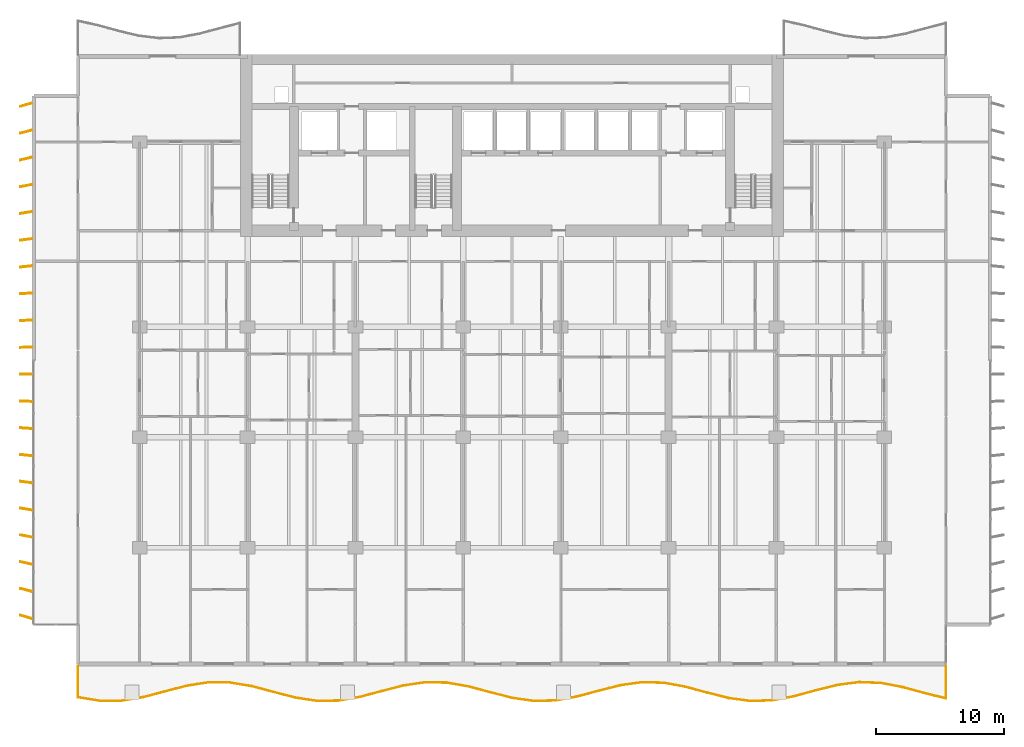
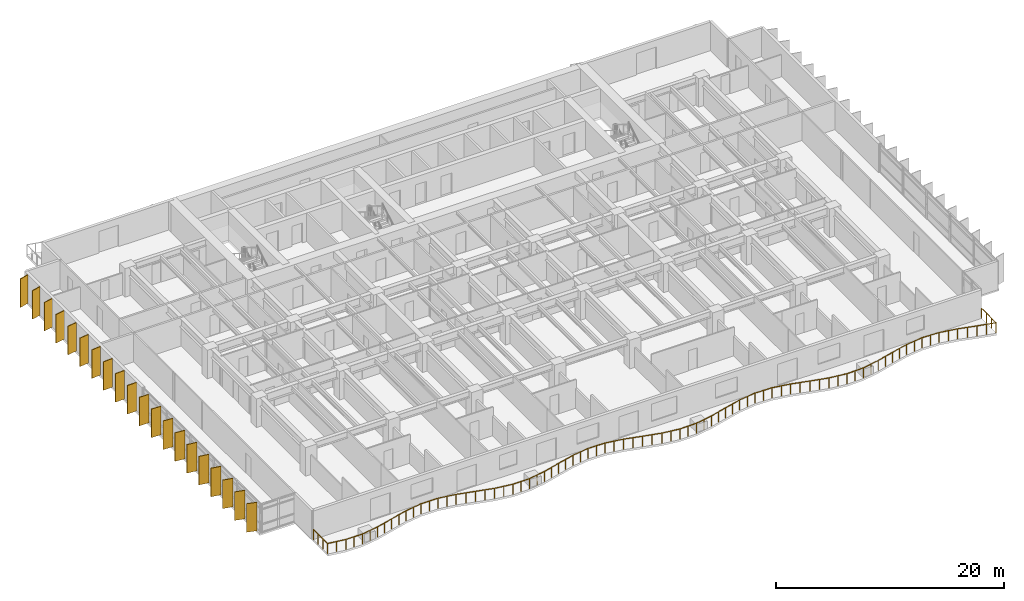
# One storey, part 14 of 17: 20 shading devices, 1 railing.
"""IFC4 building model written with IfcOpenShell, lengths in metres."""

from ifc_helpers import new_model, si_unit, direction, frame, origin, origin_2d, place, context, subcontext, project, spatial, rectangle, circle, extrude, material, material_profile, profile_set, type_object, element, save


model = new_model("IFC4")

# Units and contexts
model_context = context("Model", 3, precision=1e-05, world=origin(), true_north=direction((0.0, 1.0)))
body_context = subcontext(model_context, "Body", "Model", "MODEL_VIEW")
ifc_project = project(units=[si_unit("LENGTHUNIT", "METRE"), si_unit("AREAUNIT", "SQUARE_METRE"), si_unit("VOLUMEUNIT", "CUBIC_METRE"), si_unit("PLANEANGLEUNIT", "RADIAN"), si_unit("MASSUNIT", "GRAM", prefix="KILO")], contexts=[model_context])

# Site, building, storey
site_placement = place(None, origin())
site = spatial("IfcSite", under=ifc_project, at=site_placement, CompositionType="ELEMENT")
building_placement = place(site_placement, origin())
building = spatial("IfcBuilding", under=site, at=building_placement, Name="Caelmar Bay Residences", CompositionType="ELEMENT")
storey_placement = place(building_placement, frame((0.0, 0.0, 33.300048828125)))
storey = spatial("IfcBuildingStorey", under=building, at=storey_placement, Name="L07", CompositionType="ELEMENT", Elevation=33.300048828125)

# Railing
ifc_material_1 = material(Name="Anodised bronze handrail with laminated hurricane glass infill", Category="glass")
railing_type = type_object("IfcRailingType", Name="RL-BAL-1100", PredefinedType="BALUSTRADE", material=ifc_material_1)
railing_placement = place(storey_placement, frame((5.10009765625, 3.0, 0.0)))
element("IfcRailing", 1, at=railing_placement, inside=storey, type_object=railing_type, Name="L07 south Balcony Balustrade", PredefinedType="BALUSTRADE", context=body_context, shape_type="SweptSolid", body=[
    extrude(circle(Radius=0.02392578125, at=origin_2d()), frame((0.0, 0.0, 1.076171875), z_axis=(0.0, -1.0, 0.0), x_axis=(1.0, 0.0, 0.0)), (0.0, 0.0, 1.0), 2.460693359375),
    extrude(circle(Radius=0.02392578125, at=origin_2d()), frame((0.0, -2.460693359375, 1.076171875), z_axis=(0.987161447112, -0.159725631431, 0.0), x_axis=(0.159725631431, 0.987161447112, 0.0)), (0.0, 0.0, 1.0), 1.7119140625),
    extrude(circle(Radius=0.02392578125, at=origin_2d()), frame((1.68994140625, -2.734130859375, 1.076171875), z_axis=(0.999998737326, 0.001589134081, 0.0), x_axis=(-0.001589134081, 0.999998737326, 0.0)), (0.0, 0.0, 1.0), 1.68994140625),
    extrude(circle(Radius=0.02392578125, at=origin_2d()), frame((3.3798828125, -2.7314453125, 1.076171875), z_axis=(0.986799294677, 0.16194799173, 0.0), x_axis=(-0.16194799173, 0.986799294677, 0.0)), (0.0, 0.0, 1.0), 1.712646484375),
    extrude(circle(Radius=0.02392578125, at=origin_2d()), frame((5.06982421875, -2.4541015625, 1.076171875), z_axis=(0.967000314127, 0.254775180264, 0.0), x_axis=(-0.254775180264, 0.967000314127, 0.0)), (0.0, 0.0, 1.0), 1.747802734375),
    extrude(circle(Radius=0.02392578125, at=origin_2d()), frame((6.760009765625, -2.0087890625, 1.076171875), z_axis=(0.967608364987, 0.252456039752, 0.0), x_axis=(-0.252456039752, 0.967608364987, 0.0)), (0.0, 0.0, 1.0), 1.74658203125),
    extrude(circle(Radius=0.02392578125, at=origin_2d()), frame((8.449951171875, -1.56787109375, 1.076171875), z_axis=(0.987827677415, 0.155552176883, 0.0), x_axis=(-0.155552176883, 0.987827677415, 0.0)), (0.0, 0.0, 1.0), 1.710693359375),
    extrude(circle(Radius=0.02392578125, at=origin_2d()), frame((10.139892578125, -1.3017578125, 1.076171875), z_axis=(0.999977919541, -0.00664533145, 0.0), x_axis=(0.00664533145, 0.999977919541, 0.0)), (0.0, 0.0, 1.0), 1.68994140625),
    extrude(circle(Radius=0.02392578125, at=origin_2d()), frame((11.829833984375, -1.31298828125, 1.076171875), z_axis=(0.986134771921, -0.165946411857, 0.0), x_axis=(0.165946411857, 0.986134771921, 0.0)), (0.0, 0.0, 1.0), 1.7138671875),
    extrude(circle(Radius=0.02392578125, at=origin_2d()), frame((13.52001953125, -1.597412109375, 1.076171875), z_axis=(0.96664627218, -0.256115178153, 0.0), x_axis=(0.256115178153, 0.96664627218, 0.0)), (0.0, 0.0, 1.0), 1.748291015625),
    extrude(circle(Radius=0.02392578125, at=origin_2d()), frame((15.2099609375, -2.045166015625, 1.076171875), z_axis=(0.968017027186, -0.250884505457, 0.0), x_axis=(0.250884505457, 0.968017027186, 0.0)), (0.0, 0.0, 1.0), 1.745849609375),
    extrude(circle(Radius=0.02392578125, at=origin_2d()), frame((16.89990234375, -2.483154296875, 1.076171875), z_axis=(0.988455739863, -0.151509901762, 0.0), x_axis=(0.151509901762, 0.988455739863, 0.0)), (0.0, 0.0, 1.0), 1.709716796875),
    extrude(circle(Radius=0.02392578125, at=origin_2d()), frame((18.58984375, -2.7421875, 1.076171875), z_axis=(0.999929840124, 0.011845456066, 0.0), x_axis=(-0.011845456066, 0.999929840124, 0.0)), (0.0, 0.0, 1.0), 1.68994140625),
    extrude(circle(Radius=0.02392578125, at=origin_2d()), frame((20.27978515625, -2.72216796875, 1.076171875), z_axis=(0.985474905677, 0.169821112592, 0.0), x_axis=(-0.169821112592, 0.985474905677, 0.0)), (0.0, 0.0, 1.0), 1.715087890625),
    extrude(circle(Radius=0.02392578125, at=origin_2d()), frame((21.969970703125, -2.430908203125, 1.076171875), z_axis=(0.966299784556, 0.25741935896, 0.0), x_axis=(-0.25741935896, 0.966299784556, 0.0)), (0.0, 0.0, 1.0), 1.748779296875),
    extrude(circle(Radius=0.02392578125, at=origin_2d()), frame((23.659912109375, -1.980712890625, 1.076171875), z_axis=(0.968457248816, 0.249179768873, 0.0), x_axis=(-0.249179768873, 0.968457248816, 0.0)), (0.0, 0.0, 1.0), 1.744873046875),
    extrude(circle(Radius=0.02392578125, at=origin_2d()), frame((25.349853515625, -1.5458984375, 1.076171875), z_axis=(0.989088848921, 0.147320225836, 0.0), x_axis=(-0.147320225836, 0.989088848921, 0.0)), (0.0, 0.0, 1.0), 1.70849609375),
    extrude(circle(Radius=0.02392578125, at=origin_2d()), frame((27.039794921875, -1.294189453125, 1.076171875), z_axis=(0.999854771872, -0.017042158469, 0.0), x_axis=(0.017042158469, 0.999854771872, 0.0)), (0.0, 0.0, 1.0), 1.6904296875),
    extrude(circle(Radius=0.02392578125, at=origin_2d()), frame((28.72998046875, -1.322998046875, 1.076171875), z_axis=(0.98479644639, -0.173712288506, 0.0), x_axis=(0.173712288506, 0.98479644639, 0.0)), (0.0, 0.0, 1.0), 1.716064453125),
    extrude(circle(Radius=0.02392578125, at=origin_2d()), frame((30.419921875, -1.62109375, 1.076171875), z_axis=(0.966021507899, -0.258461692087, 0.0), x_axis=(0.258461692087, 0.966021507899, 0.0)), (0.0, 0.0, 1.0), 1.749267578125),
    extrude(circle(Radius=0.02392578125, at=origin_2d()), frame((32.10986328125, -2.0732421875, 1.076171875), z_axis=(0.96889486343, -0.247472712878, 0.0), x_axis=(0.247472712878, 0.96889486343, 0.0)), (0.0, 0.0, 1.0), 1.744140625),
    extrude(circle(Radius=0.02392578125, at=origin_2d()), frame((33.7998046875, -2.5048828125, 1.076171875), z_axis=(0.989707894307, -0.143102354789, 0.0), x_axis=(0.143102354789, 0.989707894307, 0.0)), (0.0, 0.0, 1.0), 1.707763671875),
    extrude(circle(Radius=0.02392578125, at=origin_2d()), frame((35.489990234375, -2.749267578125, 1.076171875), z_axis=(0.999755808481, 0.02209804084, 0.0), x_axis=(-0.02209804084, 0.999755808481, 0.0)), (0.0, 0.0, 1.0), 1.6904296875),
    extrude(circle(Radius=0.02392578125, at=origin_2d()), frame((37.179931640625, -2.7119140625, 1.076171875), z_axis=(0.984107880435, 0.177571618414, 0.0), x_axis=(-0.177571618414, 0.984107880435, 0.0)), (0.0, 0.0, 1.0), 1.71728515625),
    extrude(circle(Radius=0.02392578125, at=origin_2d()), frame((38.869873046875, -2.406982421875, 1.076171875), z_axis=(0.965742268421, 0.259503123268, 0.0), x_axis=(-0.259503123268, 0.965742268421, 0.0)), (0.0, 0.0, 1.0), 1.75),
    extrude(circle(Radius=0.02392578125, at=origin_2d()), frame((40.559814453125, -1.952880859375, 1.076171875), z_axis=(0.969338315738, 0.245729993373, 0.0), x_axis=(-0.245729993373, 0.969338315738, 0.0)), (0.0, 0.0, 1.0), 1.74365234375),
    extrude(circle(Radius=0.02392578125, at=origin_2d()), frame((42.25, -1.5244140625, 1.076171875), z_axis=(0.990323665204, 0.138776936615, 0.0), x_axis=(-0.138776936615, 0.990323665204, 0.0)), (0.0, 0.0, 1.0), 1.70654296875),
    extrude(circle(Radius=0.02392578125, at=origin_2d()), frame((43.93994140625, -1.28759765625, 1.076171875), z_axis=(0.999627447336, -0.027294075057, 0.0), x_axis=(0.027294075057, 0.999627447336, 0.0)), (0.0, 0.0, 1.0), 1.690673828125),
    extrude(circle(Radius=0.02392578125, at=origin_2d()), frame((45.6298828125, -1.333740234375, 1.076171875), z_axis=(0.983455853018, -0.181147964836, 0.0), x_axis=(0.181147964836, 0.983455853018, 0.0)), (0.0, 0.0, 1.0), 1.71826171875),
    extrude(circle(Radius=0.02392578125, at=origin_2d()), frame((47.31982421875, -1.64501953125, 1.076171875), z_axis=(0.96543645193, -0.26063855679, 0.0), x_axis=(0.26063855679, 0.96543645193, 0.0)), (0.0, 0.0, 1.0), 1.750732421875),
    extrude(circle(Radius=0.02392578125, at=origin_2d()), frame((49.010009765625, -2.101318359375, 1.076171875), z_axis=(0.96986162676, -0.243656366503, 0.0), x_axis=(0.243656366503, 0.96986162676, 0.0)), (0.0, 0.0, 1.0), 1.742431640625),
    extrude(circle(Radius=0.02392578125, at=origin_2d()), frame((50.699951171875, -2.52587890625, 1.076171875), z_axis=(0.990904931496, -0.134563801734, 0.0), x_axis=(0.134563801734, 0.990904931496, 0.0)), (0.0, 0.0, 1.0), 1.70556640625),
    extrude(circle(Radius=0.02392578125, at=origin_2d()), frame((52.389892578125, -2.75537109375, 1.076171875), z_axis=(0.999472128922, 0.032487897863, 0.0), x_axis=(-0.032487897863, 0.999472128922, 0.0)), (0.0, 0.0, 1.0), 1.69091796875),
    extrude(circle(Radius=0.02392578125, at=origin_2d()), frame((54.079833984375, -2.700439453125, 1.076171875), z_axis=(0.982796570367, 0.184691367622, 0.0), x_axis=(-0.184691367622, 0.982796570367, 0.0)), (0.0, 0.0, 1.0), 1.7197265625),
    extrude(circle(Radius=0.02392578125, at=origin_2d()), frame((55.77001953125, -2.3828125, 1.076171875), z_axis=(0.965180912131, 0.261583269454, 0.0), x_axis=(-0.261583269454, 0.965180912131, 0.0)), (0.0, 0.0, 1.0), 1.7509765625),
    extrude(circle(Radius=0.02392578125, at=origin_2d()), frame((57.4599609375, -1.9248046875, 1.076171875), z_axis=(0.970323637747, 0.241809921282, 0.0), x_axis=(-0.241809921282, 0.970323637747, 0.0)), (0.0, 0.0, 1.0), 1.74169921875),
    extrude(circle(Radius=0.02392578125, at=origin_2d()), frame((59.14990234375, -1.503662109375, 1.076171875), z_axis=(0.991505897184, 0.130061738608, 0.0), x_axis=(-0.130061738608, 0.991505897184, 0.0)), (0.0, 0.0, 1.0), 1.704345703125),
    extrude(circle(Radius=0.02392578125, at=origin_2d()), frame((60.83984375, -1.281982421875, 1.076171875), z_axis=(0.999295316243, -0.037534929532, 0.0), x_axis=(0.037534929532, 0.999295316243, 0.0)), (0.0, 0.0, 1.0), 1.691162109375),
    extrude(circle(Radius=0.02392578125, at=origin_2d()), frame((62.52978515625, -1.345458984375, 1.076171875), z_axis=(0.982120607704, -0.188252787292, 0.0), x_axis=(0.188252787292, 0.982120607704, 0.0)), (0.0, 0.0, 1.0), 1.720947265625),
    extrude(circle(Radius=0.02392578125, at=origin_2d()), frame((64.219970703125, -1.66943359375, 1.076171875), z_axis=(0.964969418034, -0.262362387278, 0.0), x_axis=(0.262362387278, 0.964969418034, 0.0)), (0.0, 0.0, 1.0), 1.751220703125),
    extrude(circle(Radius=0.02392578125, at=origin_2d()), frame((65.909912109375, -2.12890625, 1.076171875), z_axis=(0.9708152295, -0.239828668368, 0.0), x_axis=(0.239828668368, 0.9708152295, 0.0)), (0.0, 0.0, 1.0), 1.74072265625),
    extrude(circle(Radius=0.02392578125, at=origin_2d()), frame((67.599853515625, -2.54638671875, 1.076171875), z_axis=(0.0, 1.0, 0.0), x_axis=(-1.0, 0.0, 0.0)), (0.0, 0.0, 1.0), 2.54638671875),
    extrude(circle(Radius=0.02099609375, at=origin_2d()), origin(), (0.0, 0.0, 1.0), 1.052001953125),
    extrude(circle(Radius=0.02099609375, at=origin_2d()), frame((0.0, -0.8203125, 0.0)), (0.0, 0.0, 1.0), 1.052001953125),
    extrude(circle(Radius=0.02099609375, at=origin_2d()), frame((0.0, -1.640380859375, 0.0)), (0.0, 0.0, 1.0), 1.052001953125),
    extrude(circle(Radius=0.02099609375, at=origin_2d()), frame((0.0, -2.460693359375, 0.0)), (0.0, 0.0, 1.0), 1.052001953125),
    extrude(circle(Radius=0.02099609375, at=origin_2d()), frame((0.844970703125, -2.597412109375, 0.0)), (0.0, 0.0, 1.0), 1.052001953125),
    extrude(circle(Radius=0.02099609375, at=origin_2d()), frame((1.68994140625, -2.734130859375, 0.0)), (0.0, 0.0, 1.0), 1.052001953125),
    extrude(circle(Radius=0.02099609375, at=origin_2d()), frame((2.534912109375, -2.73291015625, 0.0)), (0.0, 0.0, 1.0), 1.052001953125),
    extrude(circle(Radius=0.02099609375, at=origin_2d()), frame((3.3798828125, -2.7314453125, 0.0)), (0.0, 0.0, 1.0), 1.052001953125),
    extrude(circle(Radius=0.02099609375, at=origin_2d()), frame((4.224853515625, -2.5927734375, 0.0)), (0.0, 0.0, 1.0), 1.052001953125),
    extrude(circle(Radius=0.02099609375, at=origin_2d()), frame((5.06982421875, -2.4541015625, 0.0)), (0.0, 0.0, 1.0), 1.052001953125),
    extrude(circle(Radius=0.02099609375, at=origin_2d()), frame((5.9150390625, -2.2314453125, 0.0)), (0.0, 0.0, 1.0), 1.052001953125),
    extrude(circle(Radius=0.02099609375, at=origin_2d()), frame((6.760009765625, -2.0087890625, 0.0)), (0.0, 0.0, 1.0), 1.052001953125),
    extrude(circle(Radius=0.02099609375, at=origin_2d()), frame((7.60498046875, -1.788330078125, 0.0)), (0.0, 0.0, 1.0), 1.052001953125),
    extrude(circle(Radius=0.02099609375, at=origin_2d()), frame((8.449951171875, -1.56787109375, 0.0)), (0.0, 0.0, 1.0), 1.052001953125),
    extrude(circle(Radius=0.02099609375, at=origin_2d()), frame((9.294921875, -1.434814453125, 0.0)), (0.0, 0.0, 1.0), 1.052001953125),
    extrude(circle(Radius=0.02099609375, at=origin_2d()), frame((10.139892578125, -1.3017578125, 0.0)), (0.0, 0.0, 1.0), 1.052001953125),
    extrude(circle(Radius=0.02099609375, at=origin_2d()), frame((10.98486328125, -1.307373046875, 0.0)), (0.0, 0.0, 1.0), 1.052001953125),
    extrude(circle(Radius=0.02099609375, at=origin_2d()), frame((11.829833984375, -1.31298828125, 0.0)), (0.0, 0.0, 1.0), 1.052001953125),
    extrude(circle(Radius=0.02099609375, at=origin_2d()), frame((12.6748046875, -1.455078125, 0.0)), (0.0, 0.0, 1.0), 1.052001953125),
    extrude(circle(Radius=0.02099609375, at=origin_2d()), frame((13.52001953125, -1.597412109375, 0.0)), (0.0, 0.0, 1.0), 1.052001953125),
    extrude(circle(Radius=0.02099609375, at=origin_2d()), frame((14.364990234375, -1.8212890625, 0.0)), (0.0, 0.0, 1.0), 1.052001953125),
    extrude(circle(Radius=0.02099609375, at=origin_2d()), frame((15.2099609375, -2.045166015625, 0.0)), (0.0, 0.0, 1.0), 1.052001953125),
    extrude(circle(Radius=0.02099609375, at=origin_2d()), frame((16.054931640625, -2.26416015625, 0.0)), (0.0, 0.0, 1.0), 1.052001953125),
    extrude(circle(Radius=0.02099609375, at=origin_2d()), frame((16.89990234375, -2.483154296875, 0.0)), (0.0, 0.0, 1.0), 1.052001953125),
    extrude(circle(Radius=0.02099609375, at=origin_2d()), frame((17.744873046875, -2.61279296875, 0.0)), (0.0, 0.0, 1.0), 1.052001953125),
    extrude(circle(Radius=0.02099609375, at=origin_2d()), frame((18.58984375, -2.7421875, 0.0)), (0.0, 0.0, 1.0), 1.052001953125),
    extrude(circle(Radius=0.02099609375, at=origin_2d()), frame((19.434814453125, -2.732177734375, 0.0)), (0.0, 0.0, 1.0), 1.052001953125),
    extrude(circle(Radius=0.02099609375, at=origin_2d()), frame((20.27978515625, -2.72216796875, 0.0)), (0.0, 0.0, 1.0), 1.052001953125),
    extrude(circle(Radius=0.02099609375, at=origin_2d()), frame((21.125, -2.57666015625, 0.0)), (0.0, 0.0, 1.0), 1.052001953125),
    extrude(circle(Radius=0.02099609375, at=origin_2d()), frame((21.969970703125, -2.430908203125, 0.0)), (0.0, 0.0, 1.0), 1.052001953125),
    extrude(circle(Radius=0.02099609375, at=origin_2d()), frame((22.81494140625, -2.205810546875, 0.0)), (0.0, 0.0, 1.0), 1.052001953125),
    extrude(circle(Radius=0.02099609375, at=origin_2d()), frame((23.659912109375, -1.980712890625, 0.0)), (0.0, 0.0, 1.0), 1.052001953125),
    extrude(circle(Radius=0.02099609375, at=origin_2d()), frame((24.5048828125, -1.76318359375, 0.0)), (0.0, 0.0, 1.0), 1.052001953125),
    extrude(circle(Radius=0.02099609375, at=origin_2d()), frame((25.349853515625, -1.5458984375, 0.0)), (0.0, 0.0, 1.0), 1.052001953125),
    extrude(circle(Radius=0.02099609375, at=origin_2d()), frame((26.19482421875, -1.419921875, 0.0)), (0.0, 0.0, 1.0), 1.052001953125),
    extrude(circle(Radius=0.02099609375, at=origin_2d()), frame((27.039794921875, -1.294189453125, 0.0)), (0.0, 0.0, 1.0), 1.052001953125),
    extrude(circle(Radius=0.02099609375, at=origin_2d()), frame((27.884765625, -1.30859375, 0.0)), (0.0, 0.0, 1.0), 1.052001953125),
    extrude(circle(Radius=0.02099609375, at=origin_2d()), frame((28.72998046875, -1.322998046875, 0.0)), (0.0, 0.0, 1.0), 1.052001953125),
    extrude(circle(Radius=0.02099609375, at=origin_2d()), frame((29.574951171875, -1.47216796875, 0.0)), (0.0, 0.0, 1.0), 1.052001953125),
    extrude(circle(Radius=0.02099609375, at=origin_2d()), frame((30.419921875, -1.62109375, 0.0)), (0.0, 0.0, 1.0), 1.052001953125),
    extrude(circle(Radius=0.02099609375, at=origin_2d()), frame((31.264892578125, -1.84716796875, 0.0)), (0.0, 0.0, 1.0), 1.052001953125),
    extrude(circle(Radius=0.02099609375, at=origin_2d()), frame((32.10986328125, -2.0732421875, 0.0)), (0.0, 0.0, 1.0), 1.052001953125),
    extrude(circle(Radius=0.02099609375, at=origin_2d()), frame((32.954833984375, -2.2890625, 0.0)), (0.0, 0.0, 1.0), 1.052001953125),
    extrude(circle(Radius=0.02099609375, at=origin_2d()), frame((33.7998046875, -2.5048828125, 0.0)), (0.0, 0.0, 1.0), 1.052001953125),
    extrude(circle(Radius=0.02099609375, at=origin_2d()), frame((34.64501953125, -2.626953125, 0.0)), (0.0, 0.0, 1.0), 1.052001953125),
    extrude(circle(Radius=0.02099609375, at=origin_2d()), frame((35.489990234375, -2.749267578125, 0.0)), (0.0, 0.0, 1.0), 1.052001953125),
    extrude(circle(Radius=0.02099609375, at=origin_2d()), frame((36.3349609375, -2.73046875, 0.0)), (0.0, 0.0, 1.0), 1.052001953125),
    extrude(circle(Radius=0.02099609375, at=origin_2d()), frame((37.179931640625, -2.7119140625, 0.0)), (0.0, 0.0, 1.0), 1.052001953125),
    extrude(circle(Radius=0.02099609375, at=origin_2d()), frame((38.02490234375, -2.5595703125, 0.0)), (0.0, 0.0, 1.0), 1.052001953125),
    extrude(circle(Radius=0.02099609375, at=origin_2d()), frame((38.869873046875, -2.406982421875, 0.0)), (0.0, 0.0, 1.0), 1.052001953125),
    extrude(circle(Radius=0.02099609375, at=origin_2d()), frame((39.71484375, -2.179931640625, 0.0)), (0.0, 0.0, 1.0), 1.052001953125),
    extrude(circle(Radius=0.02099609375, at=origin_2d()), frame((40.559814453125, -1.952880859375, 0.0)), (0.0, 0.0, 1.0), 1.052001953125),
    extrude(circle(Radius=0.02099609375, at=origin_2d()), frame((41.40478515625, -1.73876953125, 0.0)), (0.0, 0.0, 1.0), 1.052001953125),
    extrude(circle(Radius=0.02099609375, at=origin_2d()), frame((42.25, -1.5244140625, 0.0)), (0.0, 0.0, 1.0), 1.052001953125),
    extrude(circle(Radius=0.02099609375, at=origin_2d()), frame((43.094970703125, -1.406005859375, 0.0)), (0.0, 0.0, 1.0), 1.052001953125),
    extrude(circle(Radius=0.02099609375, at=origin_2d()), frame((43.93994140625, -1.28759765625, 0.0)), (0.0, 0.0, 1.0), 1.052001953125),
    extrude(circle(Radius=0.02099609375, at=origin_2d()), frame((44.784912109375, -1.310546875, 0.0)), (0.0, 0.0, 1.0), 1.052001953125),
    extrude(circle(Radius=0.02099609375, at=origin_2d()), frame((45.6298828125, -1.333740234375, 0.0)), (0.0, 0.0, 1.0), 1.052001953125),
    extrude(circle(Radius=0.02099609375, at=origin_2d()), frame((46.474853515625, -1.4892578125, 0.0)), (0.0, 0.0, 1.0), 1.052001953125),
    extrude(circle(Radius=0.02099609375, at=origin_2d()), frame((47.31982421875, -1.64501953125, 0.0)), (0.0, 0.0, 1.0), 1.052001953125),
    extrude(circle(Radius=0.02099609375, at=origin_2d()), frame((48.1650390625, -1.873046875, 0.0)), (0.0, 0.0, 1.0), 1.052001953125),
    extrude(circle(Radius=0.02099609375, at=origin_2d()), frame((49.010009765625, -2.101318359375, 0.0)), (0.0, 0.0, 1.0), 1.052001953125),
    extrude(circle(Radius=0.02099609375, at=origin_2d()), frame((49.85498046875, -2.3134765625, 0.0)), (0.0, 0.0, 1.0), 1.052001953125),
    extrude(circle(Radius=0.02099609375, at=origin_2d()), frame((50.699951171875, -2.52587890625, 0.0)), (0.0, 0.0, 1.0), 1.052001953125),
    extrude(circle(Radius=0.02099609375, at=origin_2d()), frame((51.544921875, -2.640625, 0.0)), (0.0, 0.0, 1.0), 1.052001953125),
    extrude(circle(Radius=0.02099609375, at=origin_2d()), frame((52.389892578125, -2.75537109375, 0.0)), (0.0, 0.0, 1.0), 1.052001953125),
    extrude(circle(Radius=0.02099609375, at=origin_2d()), frame((53.23486328125, -2.72802734375, 0.0)), (0.0, 0.0, 1.0), 1.052001953125),
    extrude(circle(Radius=0.02099609375, at=origin_2d()), frame((54.079833984375, -2.700439453125, 0.0)), (0.0, 0.0, 1.0), 1.052001953125),
    extrude(circle(Radius=0.02099609375, at=origin_2d()), frame((54.9248046875, -2.54150390625, 0.0)), (0.0, 0.0, 1.0), 1.052001953125),
    extrude(circle(Radius=0.02099609375, at=origin_2d()), frame((55.77001953125, -2.3828125, 0.0)), (0.0, 0.0, 1.0), 1.052001953125),
    extrude(circle(Radius=0.02099609375, at=origin_2d()), frame((56.614990234375, -2.15380859375, 0.0)), (0.0, 0.0, 1.0), 1.052001953125),
    extrude(circle(Radius=0.02099609375, at=origin_2d()), frame((57.4599609375, -1.9248046875, 0.0)), (0.0, 0.0, 1.0), 1.052001953125),
    extrude(circle(Radius=0.02099609375, at=origin_2d()), frame((58.304931640625, -1.71435546875, 0.0)), (0.0, 0.0, 1.0), 1.052001953125),
    extrude(circle(Radius=0.02099609375, at=origin_2d()), frame((59.14990234375, -1.503662109375, 0.0)), (0.0, 0.0, 1.0), 1.052001953125),
    extrude(circle(Radius=0.02099609375, at=origin_2d()), frame((59.994873046875, -1.392822265625, 0.0)), (0.0, 0.0, 1.0), 1.052001953125),
    extrude(circle(Radius=0.02099609375, at=origin_2d()), frame((60.83984375, -1.281982421875, 0.0)), (0.0, 0.0, 1.0), 1.052001953125),
    extrude(circle(Radius=0.02099609375, at=origin_2d()), frame((61.684814453125, -1.313720703125, 0.0)), (0.0, 0.0, 1.0), 1.052001953125),
    extrude(circle(Radius=0.02099609375, at=origin_2d()), frame((62.52978515625, -1.345458984375, 0.0)), (0.0, 0.0, 1.0), 1.052001953125),
    extrude(circle(Radius=0.02099609375, at=origin_2d()), frame((63.375, -1.50732421875, 0.0)), (0.0, 0.0, 1.0), 1.052001953125),
    extrude(circle(Radius=0.02099609375, at=origin_2d()), frame((64.219970703125, -1.66943359375, 0.0)), (0.0, 0.0, 1.0), 1.052001953125),
    extrude(circle(Radius=0.02099609375, at=origin_2d()), frame((65.06494140625, -1.899169921875, 0.0)), (0.0, 0.0, 1.0), 1.052001953125),
    extrude(circle(Radius=0.02099609375, at=origin_2d()), frame((65.909912109375, -2.12890625, 0.0)), (0.0, 0.0, 1.0), 1.052001953125),
    extrude(circle(Radius=0.02099609375, at=origin_2d()), frame((66.7548828125, -2.337646484375, 0.0)), (0.0, 0.0, 1.0), 1.052001953125),
    extrude(circle(Radius=0.02099609375, at=origin_2d()), frame((67.599853515625, -2.54638671875, 0.0)), (0.0, 0.0, 1.0), 1.052001953125),
    extrude(circle(Radius=0.02099609375, at=origin_2d()), frame((67.599853515625, -1.697509765625, 0.0)), (0.0, 0.0, 1.0), 1.052001953125),
    extrude(circle(Radius=0.02099609375, at=origin_2d()), frame((67.599853515625, -0.848876953125, 0.0)), (0.0, 0.0, 1.0), 1.052001953125),
    extrude(circle(Radius=0.02099609375, at=origin_2d()), frame((67.599853515625, 0.0, 0.0)), (0.0, 0.0, 1.0), 1.052001953125),
])

# Shading devices
ifc_material_2 = material(Name="Anodised architectural bronze aluminium 6063-T6", Category="aluminium")
ifc_material_profile = material_profile(ifc_material_2, rectangle(XDim=0.074951171875, YDim=0.949951171875, at=origin_2d()), Name="BRONZE-FIN-75X950")
ifc_profile_set = profile_set([ifc_material_profile], Name="Anodised architectural bronze aluminium 6063-T6")
shading_device_type = type_object("IfcShadingDeviceType", Name="SHD-FIN-950", PredefinedType="USERDEFINED", material=ifc_profile_set)
for number, where, z_axis, x_axis, name in (
    (2, (1.050048828125, 6.800048828125, 0.0), (0.0, 0.0, 1.0), (0.275637355817, 0.961261695938, 0.0), "L07 West Bronze Solar Fin 1"),
    (3, (1.050048828125, 8.89990234375, 0.0), (0.0, 0.0, 1.0), (0.247337247968, 0.968929453452, 0.0), "L07 West Bronze Solar Fin 2"),
    (4, (1.050048828125, 11.0, 0.0), (0.0, 0.0, 1.0), (0.218654200292, 0.975802408633, 0.0), "L07 West Bronze Solar Fin 3"),
    (5, (1.050048828125, 13.10009765625, 0.0), (0.0, 0.0, 1.0), (0.189952291512, 0.981793321911, 0.0), "L07 West Bronze Solar Fin 4"),
    (6, (1.050048828125, 15.199951171875, 0.0), (0.0, 0.0, 1.0), (0.160914826518, 0.986968296657, 0.0), "L07 West Bronze Solar Fin 5"),
    (7, (1.050048828125, 17.300048828125, 0.0), (0.0, 0.0, 1.0), (0.131910382711, 0.991261646052, 0.0), "L07 West Bronze Solar Fin 6"),
    (8, (1.050048828125, 19.39990234375, 0.0), (0.0, 0.0, 1.0), (0.10261892683, 0.994720742649, 0.0), "L07 West Bronze Solar Fin 7"),
    (9, (1.050048828125, 21.5, 0.0), (0.0, 0.0, 1.0), (0.073412260224, 0.997301679558, 0.0), "L07 West Bronze Solar Fin 8"),
    (10, (1.050048828125, 23.60009765625, 0.0), (0.0, 0.0, 1.0), (0.044142481788, 0.999025245578, 0.0), "L07 West Bronze Solar Fin 9"),
    (11, (1.050048828125, 25.699951171875, 0.0), (0.0, 0.0, 1.0), (0.01466024053, 0.999892532899, 0.0), "L07 West Bronze Solar Fin 10"),
    (12, (1.050048828125, 27.800048828125, 0.0), (0.0, 0.0, 1.0), (-0.01466024053, 0.999892532899, 0.0), "L07 West Bronze Solar Fin 11"),
    (13, (1.050048828125, 29.89990234375, 0.0), (0.0, 0.0, 1.0), (-0.044142481788, 0.999025245578, 0.0), "L07 West Bronze Solar Fin 12"),
    (14, (1.050048828125, 32.0, 0.0), (0.0, 0.0, 1.0), (-0.073412260224, 0.997301679558, 0.0), "L07 West Bronze Solar Fin 13"),
    (15, (1.050048828125, 34.10009765625, 0.0), (0.0, 0.0, 1.0), (-0.10261892683, 0.994720742649, 0.0), "L07 West Bronze Solar Fin 14"),
    (16, (1.050048828125, 36.199951171875, 0.0), (0.0, 0.0, 1.0), (-0.131910382711, 0.991261646052, 0.0), "L07 West Bronze Solar Fin 15"),
    (17, (1.050048828125, 38.300048828125, 0.0), (0.0, 0.0, 1.0), (-0.160914826518, 0.986968296657, 0.0), "L07 West Bronze Solar Fin 16"),
    (18, (1.050048828125, 40.39990234375, 0.0), (0.0, 0.0, 1.0), (-0.189952291512, 0.981793321911, 0.0), "L07 West Bronze Solar Fin 17"),
    (19, (1.050048828125, 42.5, 0.0), (0.0, 0.0, 1.0), (-0.218654200292, 0.975802408633, 0.0), "L07 West Bronze Solar Fin 18"),
    (20, (1.050048828125, 44.60009765625, 0.0), (0.0, 0.0, 1.0), (-0.247337247968, 0.968929453452, 0.0), "L07 West Bronze Solar Fin 19"),
    (21, (1.050048828125, 46.699951171875, 0.0), (0.0, 0.0, 1.0), (-0.275637355817, 0.961261695938, 0.0), "L07 West Bronze Solar Fin 20"),
):
    element("IfcShadingDevice", number, at=place(storey_placement, frame(where, z_axis=z_axis, x_axis=x_axis)), inside=storey, type_object=shading_device_type, Name=name, ObjectType="FIN", PredefinedType="USERDEFINED", context=body_context, shape_type="SweptSolid", body=[
        extrude(rectangle(XDim=0.074951171875, YDim=0.949951171875, at=origin_2d()), origin(), (0.0, 0.0, 1.0), 3.050048828125),
    ])

save(model, "model.ifc")
